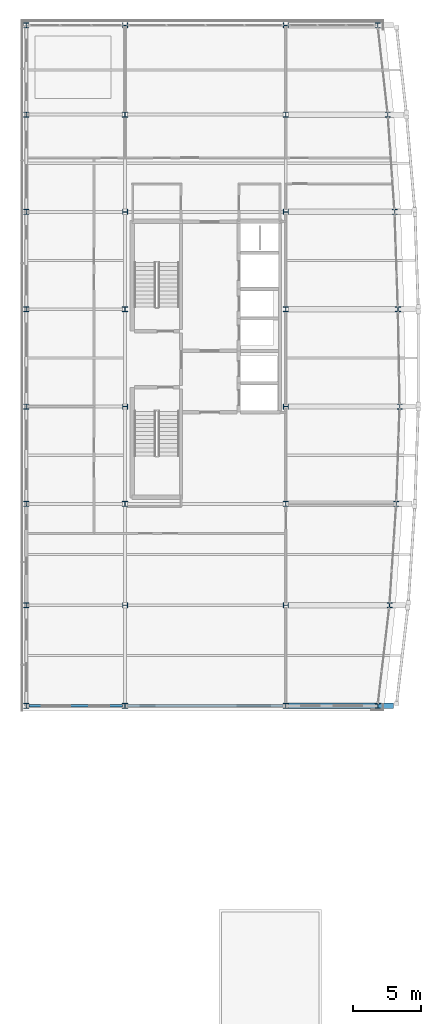
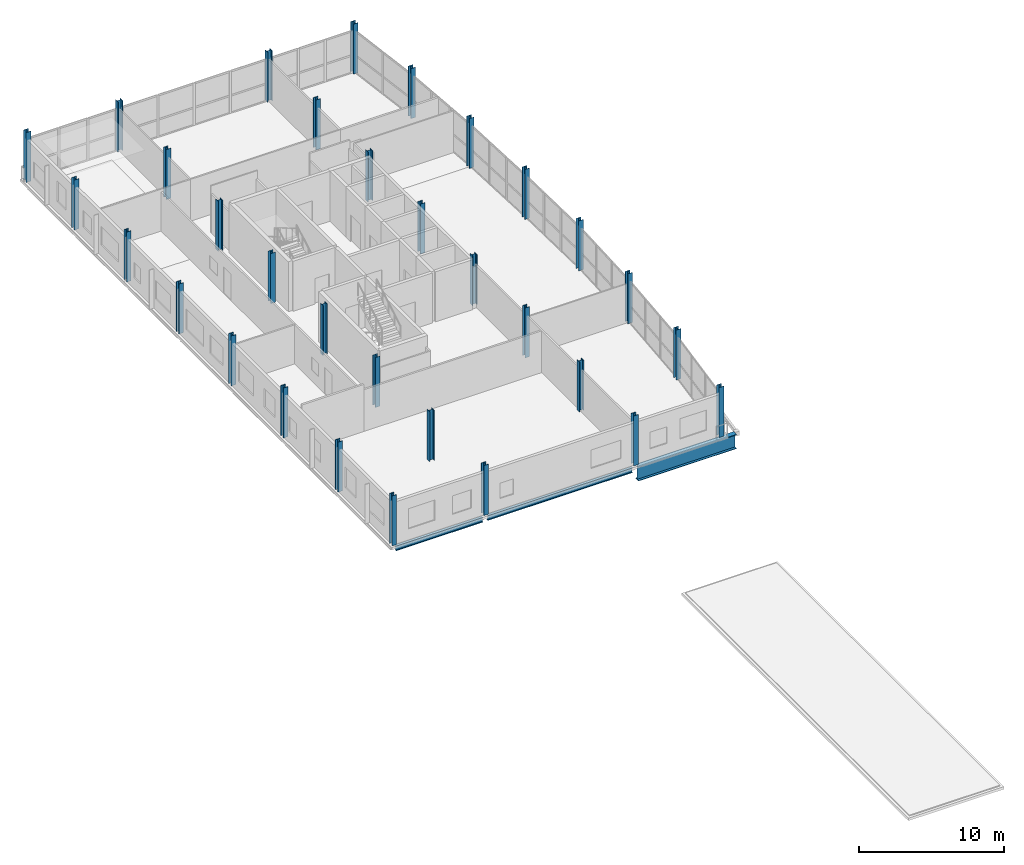
# One storey, part 1 of 23: 32 columns, 3 beams.
"""IFC4 building model written with IfcOpenShell, lengths in metres."""

from ifc_helpers import new_model, si_unit, direction, frame, origin, origin_2d, place, context, subcontext, project, spatial, i_section, extrude, material, material_profile, profile_set, type_object, element, save


model = new_model("IFC4")

# Units and contexts
model_context = context("Model", 3, precision=1e-05, world=origin(), true_north=direction((0.0, 1.0)))
body_context = subcontext(model_context, "Body", "Model", "MODEL_VIEW")
ifc_project = project(units=[si_unit("LENGTHUNIT", "METRE"), si_unit("AREAUNIT", "SQUARE_METRE"), si_unit("VOLUMEUNIT", "CUBIC_METRE"), si_unit("PLANEANGLEUNIT", "RADIAN"), si_unit("MASSUNIT", "GRAM", prefix="KILO")], contexts=[model_context])

# Site, building, storey
site_placement = place(None, origin())
site = spatial("IfcSite", under=ifc_project, at=site_placement, CompositionType="ELEMENT")
building_placement = place(site_placement, origin())
building = spatial("IfcBuilding", under=site, at=building_placement, Name="Quillay Park Conservatory", CompositionType="ELEMENT")
storey_placement = place(building_placement, frame((0.0, 0.0, 22.5)))
storey = spatial("IfcBuildingStorey", under=building, at=storey_placement, Name="L05", CompositionType="ELEMENT", Elevation=22.5)

# Columns
ifc_material_1 = material(Name="Steel ASTM A992 Grade 50", Category="steel")
ifc_material_profile_1 = material_profile(ifc_material_1, i_section(OverallWidth=0.3740234375, OverallDepth=0.3720703125, WebThickness=0.016357421875, FlangeThickness=0.026123046875, FilletRadius=0.014892578125, at=origin_2d()), Name="W360x196")
ifc_profile_set_1 = profile_set([ifc_material_profile_1], Name="Steel ASTM A992 Grade 50")
column_type = type_object("IfcColumnType", Name="COMPOSITE STEEL COLUMN W360 X196", PredefinedType="COLUMN", material=ifc_profile_set_1)
for number, where, z_axis, x_axis, name in (
    (1, (0.550048828125, 63.050048828125, 0.0), (0.0, 0.0, 1.0), (1.0, 0.0, 0.0), "L05 column COL-V4-L05-0-0"),
    (2, (7.85009765625, 63.050048828125, 0.0), (0.0, 0.0, 1.0), (1.0, 0.0, 0.0), "L05 column COL-V4-L05-0-1"),
    (3, (19.75, 63.050048828125, 0.0), (0.0, 0.0, 1.0), (1.0, 0.0, 0.0), "L05 column COL-V4-L05-0-2"),
    (4, (26.550048828125, 63.050048828125, 0.0), (0.0, 0.0, 1.0), (1.0, 0.0, 0.0), "L05 column COL-V4-L05-0-3"),
    (5, (0.550048828125, 70.5, 0.0), (0.0, 0.0, 1.0), (1.0, 0.0, 0.0), "L05 column COL-V4-L05-1-0"),
    (6, (7.85009765625, 70.5, 0.0), (0.0, 0.0, 1.0), (0.0, 1.0, 0.0), "L05 column COL-V4-L05-1-1"),
    (7, (19.75, 70.5, 0.0), (0.0, 0.0, 1.0), (0.0, 1.0, 0.0), "L05 column COL-V4-L05-1-2"),
    (8, (27.425048828125, 70.5, 0.0), (0.0, 0.0, 1.0), (1.0, 0.0, 0.0), "L05 column COL-V4-L05-1-3"),
    (9, (0.550048828125, 78.0, 0.0), (0.0, 0.0, 1.0), (1.0, 0.0, 0.0), "L05 column COL-V4-L05-2-0"),
    (10, (7.85009765625, 78.0, 0.0), (0.0, 0.0, 1.0), (1.0, 0.0, 0.0), "L05 column COL-V4-L05-2-1"),
    (11, (19.75, 78.0, 0.0), (0.0, 0.0, 1.0), (1.0, 0.0, 0.0), "L05 column COL-V4-L05-2-2"),
    (12, (27.925048828125, 78.0, 0.0), (0.0, 0.0, 1.0), (1.0, 0.0, 0.0), "L05 column COL-V4-L05-2-3"),
    (13, (0.550048828125, 85.199951171875, 0.0), (0.0, 0.0, 1.0), (1.0, 0.0, 0.0), "L05 column COL-V4-L05-3-0"),
    (14, (7.85009765625, 85.199951171875, 0.0), (0.0, 0.0, 1.0), (0.0, 1.0, 0.0), "L05 column COL-V4-L05-3-1"),
    (15, (19.75, 85.199951171875, 0.0), (0.0, 0.0, 1.0), (0.0, 1.0, 0.0), "L05 column COL-V4-L05-3-2"),
    (16, (28.175048828125, 85.199951171875, 0.0), (0.0, 0.0, 1.0), (1.0, 0.0, 0.0), "L05 column COL-V4-L05-3-3"),
    (17, (0.550048828125, 92.39990234375, 0.0), (0.0, 0.0, 1.0), (1.0, 0.0, 0.0), "L05 column COL-V4-L05-4-0"),
    (18, (7.85009765625, 92.39990234375, 0.0), (0.0, 0.0, 1.0), (1.0, 0.0, 0.0), "L05 column COL-V4-L05-4-1"),
    (19, (19.75, 92.39990234375, 0.0), (0.0, 0.0, 1.0), (1.0, 0.0, 0.0), "L05 column COL-V4-L05-4-2"),
    (20, (28.050048828125, 92.39990234375, 0.0), (0.0, 0.0, 1.0), (1.0, 0.0, 0.0), "L05 column COL-V4-L05-4-3"),
    (21, (0.550048828125, 99.60009765625, 0.0), (0.0, 0.0, 1.0), (1.0, 0.0, 0.0), "L05 column COL-V4-L05-5-0"),
    (22, (7.85009765625, 99.60009765625, 0.0), (0.0, 0.0, 1.0), (0.0, 1.0, 0.0), "L05 column COL-V4-L05-5-1"),
    (23, (19.75, 99.60009765625, 0.0), (0.0, 0.0, 1.0), (0.0, 1.0, 0.0), "L05 column COL-V4-L05-5-2"),
    (24, (27.800048828125, 99.60009765625, 0.0), (0.0, 0.0, 1.0), (1.0, 0.0, 0.0), "L05 column COL-V4-L05-5-3"),
    (25, (0.550048828125, 106.800048828125, 0.0), (0.0, 0.0, 1.0), (1.0, 0.0, 0.0), "L05 column COL-V4-L05-6-0"),
    (26, (7.85009765625, 106.800048828125, 0.0), (0.0, 0.0, 1.0), (1.0, 0.0, 0.0), "L05 column COL-V4-L05-6-1"),
    (27, (19.75, 106.800048828125, 0.0), (0.0, 0.0, 1.0), (1.0, 0.0, 0.0), "L05 column COL-V4-L05-6-2"),
    (28, (27.300048828125, 106.800048828125, 0.0), (0.0, 0.0, 1.0), (1.0, 0.0, 0.0), "L05 column COL-V4-L05-6-3"),
    (29, (0.550048828125, 113.39990234375, 0.0), (0.0, 0.0, 1.0), (1.0, 0.0, 0.0), "L05 column COL-V4-L05-7-0"),
    (30, (7.85009765625, 113.39990234375, 0.0), (0.0, 0.0, 1.0), (0.0, 1.0, 0.0), "L05 column COL-V4-L05-7-1"),
    (31, (19.75, 113.39990234375, 0.0), (0.0, 0.0, 1.0), (0.0, 1.0, 0.0), "L05 column COL-V4-L05-7-2"),
    (32, (26.550048828125, 113.39990234375, 0.0), (0.0, 0.0, 1.0), (1.0, 0.0, 0.0), "L05 column COL-V4-L05-7-3"),
):
    element("IfcColumn", number, at=place(storey_placement, frame(where, z_axis=z_axis, x_axis=x_axis)), inside=storey, type_object=column_type, Name=name, PredefinedType="COLUMN", context=body_context, shape_type="SweptSolid", body=[
        extrude(i_section(OverallWidth=0.3740234375, OverallDepth=0.3720703125, WebThickness=0.016357421875, FlangeThickness=0.026123046875, FilletRadius=0.014892578125, at=origin_2d()), origin(), (0.0, 0.0, 1.0), 4.199951171875),
    ])

# Beams
ifc_material_2 = material(Name="Steel ASTM A992 Grade 50", Category="steel")
ifc_material_profile_2 = material_profile(ifc_material_2, i_section(OverallWidth=0.179931640625, OverallDepth=0.4130859375, WebThickness=0.009765625, FlangeThickness=0.01611328125, FilletRadius=0.011962890625, at=origin_2d()), Name="W410x74")
ifc_profile_set_2 = profile_set([ifc_material_profile_2], Name="Steel ASTM A992 Grade 50")
beam_type_1 = type_object("IfcBeamType", Name="PERIMETER SPANDREL BEAM W410 X74", PredefinedType="SPANDREL", material=ifc_profile_set_2)
beam_1_placement = place(storey_placement, frame((0.74755859375, 63.050048828125, -0.406494140625), z_axis=(1.0, 0.0, 0.0), x_axis=(0.0, 1.0, 0.0)))
element("IfcBeam", 33, at=beam_1_placement, inside=storey, type_object=beam_type_1, Name="L05 beam BM-SP-0380", PredefinedType="SPANDREL", context=body_context, shape_type="SweptSolid", body=[
    extrude(i_section(OverallWidth=0.179931640625, OverallDepth=0.4130859375, WebThickness=0.009765625, FlangeThickness=0.01611328125, FilletRadius=0.011962890625, at=origin_2d()), origin(), (0.0, 0.0, 1.0), 6.905029296875),
])
beam_2_placement = place(storey_placement, frame((8.047607421875, 63.050048828125, -0.406494140625), z_axis=(1.0, 0.0, 0.0), x_axis=(0.0, 1.0, 0.0)))
element("IfcBeam", 34, at=beam_2_placement, inside=storey, type_object=beam_type_1, Name="L05 beam BM-SP-0381", PredefinedType="SPANDREL", context=body_context, shape_type="SweptSolid", body=[
    extrude(i_section(OverallWidth=0.179931640625, OverallDepth=0.4130859375, WebThickness=0.009765625, FlangeThickness=0.01611328125, FilletRadius=0.011962890625, at=origin_2d()), origin(), (0.0, 0.0, 1.0), 11.5048828125),
])
ifc_material_3 = material(Name="Steel ASTM A572 Grade 50", Category="steel")
ifc_material_profile_3 = material_profile(ifc_material_3, i_section(OverallWidth=0.39990234375, OverallDepth=1.199951171875, WebThickness=0.02001953125, FlangeThickness=0.0380859375, at=origin_2d()), Name="IG1200x400")
ifc_profile_set_3 = profile_set([ifc_material_profile_3], Name="Steel ASTM A572 Grade 50")
beam_type_2 = type_object("IfcBeamType", Name="TRANSFER PLATE GIRDER IG1200", PredefinedType="USERDEFINED", material=ifc_profile_set_3)
beam_3_placement = place(storey_placement, frame((19.947509765625, 63.050048828125, -0.800048828125), z_axis=(1.0, 0.0, 0.0), x_axis=(0.0, 1.0, 0.0)))
element("IfcBeam", 35, at=beam_3_placement, inside=storey, type_object=beam_type_2, Name="L05 beam BM-TG2-0382", ObjectType="TRANSFER PLATE GIRDER", PredefinedType="USERDEFINED", context=body_context, shape_type="SweptSolid", body=[
    extrude(i_section(OverallWidth=0.39990234375, OverallDepth=1.199951171875, WebThickness=0.02001953125, FlangeThickness=0.0380859375, at=origin_2d()), origin(), (0.0, 0.0, 1.0), 7.780029296875),
])

save(model, "model.ifc")
